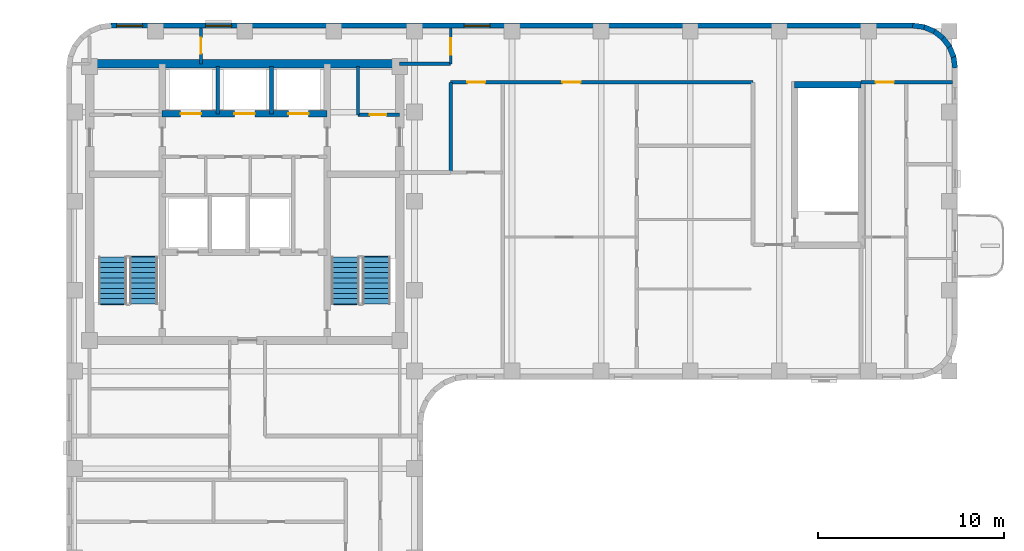
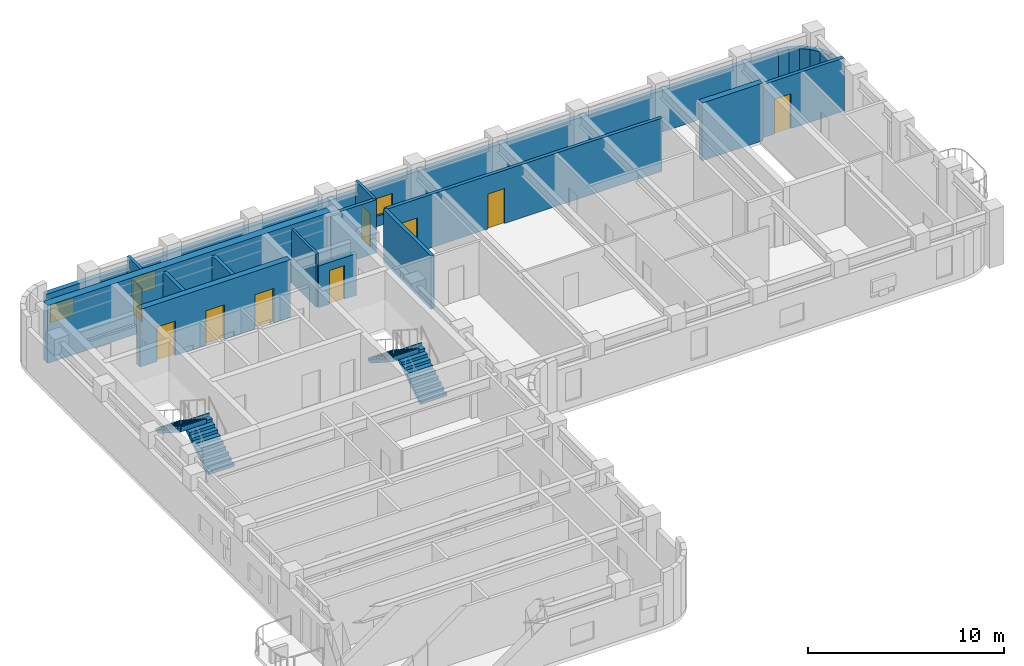
# One storey, part 6 of 8: 20 walls, 9 doors, 4 stair flights, 3 windows, 12 openings, 2 elements without a shape of their own.
"""IFC4 building model written with IfcOpenShell, lengths in metres."""

from ifc_helpers import new_model, si_unit, direction, frame, frame_2d, origin, place, context, subcontext, project, spatial, polyline, rectangle, outline, extrude, material, layer, layer_set, type_object, element, fill, aggregate, save


model = new_model("IFC4")

# Units and contexts
model_context = context("Model", 3, precision=1e-05, world=origin(), true_north=direction((0.0, 1.0)))
body_context = subcontext(model_context, "Body", "Model", "MODEL_VIEW")
ifc_project = project(units=[si_unit("LENGTHUNIT", "METRE"), si_unit("AREAUNIT", "SQUARE_METRE"), si_unit("VOLUMEUNIT", "CUBIC_METRE"), si_unit("PLANEANGLEUNIT", "RADIAN"), si_unit("MASSUNIT", "GRAM", prefix="KILO")], contexts=[model_context])

# Site, building, storey
site_placement = place(None, origin())
site = spatial("IfcSite", under=ifc_project, at=site_placement, CompositionType="ELEMENT")
building_placement = place(site_placement, origin())
building = spatial("IfcBuilding", under=site, at=building_placement, Name="Orvandelia Arch Residences", CompositionType="ELEMENT")
storey_placement = place(building_placement, frame((0.0, 0.0, 236.199951171875)))
storey = spatial("IfcBuildingStorey", under=building, at=storey_placement, Name="L62", CompositionType="ELEMENT", Elevation=236.199951171875)

# Wall, openings, doors
ifc_material_1 = material(Name="Concrete C50/60", Category="concrete")
ifc_layer_1 = layer(ifc_material_1, 0.35009765625, Name="Concrete C50/60", Category="concrete")
ifc_layer_set_1 = layer_set([ifc_layer_1], Name="Concrete C50/60")
wall_type_1 = type_object("IfcWallType", Name="WL-CORE-350", PredefinedType="SHEAR", material=ifc_layer_set_1)
wall_1_placement = place(storey_placement, frame((9.9599609375, 43.10009765625, 0.0), z_axis=(0.0, 0.0, 1.0), x_axis=(1.0, 0.0, 0.0)))
wall_1 = element("IfcWall", 1, at=wall_1_placement, inside=storey, type_object=wall_type_1, Name="Core Shear Wall L62-HZ4", PredefinedType="SHEAR", context=body_context, shape_type="SweptSolid", body=[
    extrude(rectangle(XDim=8.880126953125, YDim=0.35009765625, at=frame_2d((4.43994140625, 0.0))), origin(), (0.0, 0.0, 1.0), 3.60009765625),
])
opening_1_placement = place(wall_1_placement, frame((0.989990234375, 0.0, 0.0)))
opening_1 = element("IfcOpeningElement", 2, at=opening_1_placement, cuts=wall_1, Name="Opening LD", PredefinedType="OPENING", context=body_context, shape_type="SweptSolid", body=[
    extrude(rectangle(XDim=1.10009765625, YDim=2.14990234375, at=frame_2d((0.550048828125, 1.074951171875))), frame((0.0, 0.18505859375, 0.0), z_axis=(0.0, -1.0, 0.0), x_axis=(1.0, 0.0, 0.0)), (0.0, 0.0, 1.0), 0.3701171875),
])
opening_2_placement = place(wall_1_placement, frame((3.889892578125, 0.0, 0.0)))
opening_2 = element("IfcOpeningElement", 3, at=opening_2_placement, cuts=wall_1, Name="Opening LD", PredefinedType="OPENING", context=body_context, shape_type="SweptSolid", body=[
    extrude(rectangle(XDim=1.10009765625, YDim=2.14990234375, at=frame_2d((0.550048828125, 1.074951171875))), frame((0.0, 0.18505859375, 0.0), z_axis=(0.0, -1.0, 0.0), x_axis=(1.0, 0.0, 0.0)), (0.0, 0.0, 1.0), 0.3701171875),
])
opening_3_placement = place(wall_1_placement, frame((6.7900390625, 0.0, 0.0)))
opening_3 = element("IfcOpeningElement", 4, at=opening_3_placement, cuts=wall_1, Name="Opening LD", PredefinedType="OPENING", context=body_context, shape_type="SweptSolid", body=[
    extrude(rectangle(XDim=1.10009765625, YDim=2.14990234375, at=frame_2d((0.550048828125, 1.074951171875))), frame((0.0, 0.18505859375, 0.0), z_axis=(0.0, -1.0, 0.0), x_axis=(1.0, 0.0, 0.0)), (0.0, 0.0, 1.0), 0.3701171875),
])
ifc_material_2 = material(Name="Brushed Stainless Steel Sliding Lift Door", Category="steel")
door_type_1 = type_object("IfcDoorType", Name="DR-LIFT-1100", OperationType="NOTDEFINED", PredefinedType="DOOR", material=ifc_material_2)
door_1_placement = place(opening_1_placement, origin())
door_1 = element("IfcDoor", 5, at=door_1_placement, inside=storey, type_object=door_type_1, Name="Lift Landing Door LD-PH1-L62", OperationType="SLIDING_TO_LEFT", OverallHeight=2.14990234375, OverallWidth=1.10009765625, PredefinedType="DOOR", context=body_context, shape_type="SweptSolid", body=[
    extrude(rectangle(XDim=1.10009765625, YDim=2.14990234375, at=frame_2d((0.550048828125, 1.074951171875))), frame((0.0, 0.02490234375, 0.0), z_axis=(0.0, -1.0, 0.0), x_axis=(1.0, 0.0, 0.0)), (0.0, 0.0, 1.0), 0.050048828125),
])
fill(opening_1, door_1)
door_2_placement = place(opening_2_placement, origin())
door_2 = element("IfcDoor", 6, at=door_2_placement, inside=storey, type_object=door_type_1, Name="Lift Landing Door LD-PH2-L62", OperationType="SLIDING_TO_RIGHT", OverallHeight=2.14990234375, OverallWidth=1.10009765625, PredefinedType="DOOR", context=body_context, shape_type="SweptSolid", body=[
    extrude(rectangle(XDim=1.10009765625, YDim=2.14990234375, at=frame_2d((0.550048828125, 1.074951171875))), frame((0.0, 0.02490234375, 0.0), z_axis=(0.0, -1.0, 0.0), x_axis=(1.0, 0.0, 0.0)), (0.0, 0.0, 1.0), 0.050048828125),
])
fill(opening_2, door_2)
door_3_placement = place(opening_3_placement, origin())
door_3 = element("IfcDoor", 7, at=door_3_placement, inside=storey, type_object=door_type_1, Name="Lift Landing Door LD-PH3-L62", OperationType="SLIDING_TO_LEFT", OverallHeight=2.14990234375, OverallWidth=1.10009765625, PredefinedType="DOOR", context=body_context, shape_type="SweptSolid", body=[
    extrude(rectangle(XDim=1.10009765625, YDim=2.14990234375, at=frame_2d((0.550048828125, 1.074951171875))), frame((0.0, 0.02490234375, 0.0), z_axis=(0.0, -1.0, 0.0), x_axis=(1.0, 0.0, 0.0)), (0.0, 0.0, 1.0), 0.050048828125),
])
fill(opening_3, door_3)

# Walls
wall_2_placement = place(storey_placement, frame((44.02001953125, 44.659912109375, 0.0), z_axis=(0.0, 0.0, 1.0), x_axis=(1.0, 0.0, 0.0)))
element("IfcWall", 8, at=wall_2_placement, inside=storey, type_object=wall_type_1, Name="East Stair Core Shear Wall L62-N", PredefinedType="SHEAR", context=body_context, shape_type="SweptSolid", body=[
    extrude(rectangle(XDim=3.580078125, YDim=0.35009765625, at=frame_2d((1.7900390625, 0.0))), origin(), (0.0, 0.0, 1.0), 3.60009765625),
])
ifc_layer_2 = layer(ifc_material_1, 0.449951171875, Name="Concrete C50/60", Category="concrete")
ifc_layer_set_2 = layer_set([ifc_layer_2], Name="Concrete C50/60")
wall_type_2 = type_object("IfcWallType", Name="WL-CORE-450", PredefinedType="SHEAR", material=ifc_layer_set_2)
wall_3_placement = place(storey_placement, frame((6.050048828125, 45.800048828125, 0.0), z_axis=(0.0, 0.0, 1.0), x_axis=(1.0, 0.0, 0.0)))
element("IfcWall", 9, at=wall_3_placement, inside=storey, type_object=wall_type_2, Name="Core Shear Wall L62-N", PredefinedType="SHEAR", context=body_context, shape_type="SweptSolid", body=[
    extrude(rectangle(XDim=16.699951171875, YDim=0.449951171875, at=frame_2d((8.35009765625, 0.0))), origin(), (0.0, 0.0, 1.0), 3.60009765625),
])
ifc_material_3 = material(Name="Fire-Rated Corridor Partition")
ifc_layer_3 = layer(ifc_material_3, 0.199951171875, Name="Fire-Rated Corridor Partition")
ifc_layer_set_3 = layer_set([ifc_layer_3], Name="Fire-Rated Corridor Partition")
wall_type_3 = type_object("IfcWallType", Name="WL-CORR-200", PredefinedType="PARTITIONING", material=ifc_layer_set_3)
wall_4_placement = place(storey_placement, frame((22.75, 45.800048828125, 0.0), z_axis=(0.0, 0.0, 1.0), x_axis=(1.0, 0.0, 0.0)))
element("IfcWall", 10, at=wall_4_placement, inside=storey, type_object=wall_type_3, Name="Interior Partition Wall WL-L62-NCE-S", PredefinedType="PARTITIONING", context=body_context, shape_type="SweptSolid", body=[
    extrude(rectangle(XDim=2.75, YDim=0.199951171875, at=frame_2d((1.375, 0.0))), origin(), (0.0, 0.0, 1.0), 3.320068359375),
])

# Wall, openings, doors
wall_5_placement = place(storey_placement, frame((25.5, 44.800048828125, 0.0), z_axis=(0.0, 0.0, 1.0), x_axis=(1.0, 0.0, 0.0)))
wall_5 = element("IfcWall", 11, at=wall_5_placement, inside=storey, type_object=wall_type_3, Name="Interior Partition Wall WL-L62-EN2-S1", PredefinedType="PARTITIONING", context=body_context, shape_type="SweptSolid", body=[
    extrude(rectangle(XDim=16.280029296875, YDim=0.199951171875, at=frame_2d((8.14013671875, 0.0))), origin(), (0.0, 0.0, 1.0), 3.320068359375),
])
opening_4_placement = place(wall_5_placement, frame((0.89990234375, 0.0, 0.0)))
opening_4 = element("IfcOpeningElement", 12, at=opening_4_placement, cuts=wall_5, Name="Opening D2", PredefinedType="OPENING", context=body_context, shape_type="SweptSolid", body=[
    extrude(rectangle(XDim=0.949951171875, YDim=2.14990234375, at=frame_2d((0.47509765625, 1.074951171875))), frame((0.0, 0.10986328125, 0.0), z_axis=(0.0, -1.0, 0.0), x_axis=(1.0, 0.0, 0.0)), (0.0, 0.0, 1.0), 0.219970703125),
])
opening_5_placement = place(wall_5_placement, frame((6.013916015625, 0.0, 0.0)))
opening_5 = element("IfcOpeningElement", 13, at=opening_5_placement, cuts=wall_5, Name="Opening D1", PredefinedType="OPENING", context=body_context, shape_type="SweptSolid", body=[
    extrude(rectangle(XDim=0.97998046875, YDim=2.179931640625, at=frame_2d((0.489990234375, 1.08984375))), frame((0.0, 0.10986328125, 0.0), z_axis=(0.0, -1.0, 0.0), x_axis=(1.0, 0.0, 0.0)), (0.0, 0.0, 1.0), 0.219970703125),
])
ifc_material_4 = material(Name="Solid-Core Timber Interior Fire Door", Category="wood")
door_type_2 = type_object("IfcDoorType", Name="DR-APT-950", OperationType="NOTDEFINED", PredefinedType="DOOR", material=ifc_material_4)
door_4_placement = place(opening_4_placement, origin())
door_4 = element("IfcDoor", 14, at=door_4_placement, inside=storey, type_object=door_type_2, Name="DR-L62-EN2KLD", OperationType="SINGLE_SWING_LEFT", OverallHeight=2.14990234375, OverallWidth=0.949951171875, PredefinedType="DOOR", context=body_context, shape_type="SweptSolid", body=[
    extrude(rectangle(XDim=0.949951171875, YDim=2.14990234375, at=frame_2d((0.47509765625, 1.074951171875))), frame((0.0, 0.02490234375, 0.0), z_axis=(0.0, -1.0, 0.0), x_axis=(1.0, 0.0, 0.0)), (0.0, 0.0, 1.0), 0.050048828125),
])
fill(opening_4, door_4)
ifc_material_5 = material(Name="Solid-Core Timber Acoustic Fire Door", Category="wood")
door_type_3 = type_object("IfcDoorType", Name="DR-ENT-980", OperationType="NOTDEFINED", PredefinedType="DOOR", material=ifc_material_5)
door_5_placement = place(opening_5_placement, origin())
door_5 = element("IfcDoor", 15, at=door_5_placement, inside=storey, type_object=door_type_3, Name="Unit L62-04 Entrance Door", OperationType="SINGLE_SWING_RIGHT", OverallHeight=2.179931640625, OverallWidth=0.97998046875, PredefinedType="DOOR", context=body_context, shape_type="SweptSolid", body=[
    extrude(rectangle(XDim=0.97998046875, YDim=2.179931640625, at=frame_2d((0.489990234375, 1.08984375))), frame((0.0, 0.02490234375, 0.0), z_axis=(0.0, -1.0, 0.0), x_axis=(1.0, 0.0, 0.0)), (0.0, 0.0, 1.0), 0.050048828125),
])
fill(opening_5, door_5)

# Wall, opening, door
wall_6_placement = place(storey_placement, frame((47.60009765625, 44.800048828125, 0.0), z_axis=(0.0, 0.0, 1.0), x_axis=(1.0, 0.0, 0.0)))
wall_6 = element("IfcWall", 16, at=wall_6_placement, inside=storey, type_object=wall_type_3, Name="Interior Partition Wall WL-L62-EN2-S2", PredefinedType="PARTITIONING", context=body_context, shape_type="SweptSolid", body=[
    extrude(rectangle(XDim=4.919921875, YDim=0.199951171875, at=frame_2d((2.4599609375, 0.0))), origin(), (0.0, 0.0, 1.0), 3.320068359375),
])
opening_6_placement = place(wall_6_placement, frame((0.79150390625, 0.0, 0.0)))
opening_6 = element("IfcOpeningElement", 17, at=opening_6_placement, cuts=wall_6, Name="Opening D1", PredefinedType="OPENING", context=body_context, shape_type="SweptSolid", body=[
    extrude(rectangle(XDim=0.97998046875, YDim=2.179931640625, at=frame_2d((0.489990234375, 1.08984375))), frame((0.0, 0.10986328125, 0.0), z_axis=(0.0, -1.0, 0.0), x_axis=(1.0, 0.0, 0.0)), (0.0, 0.0, 1.0), 0.219970703125),
])
door_6_placement = place(opening_6_placement, origin())
door_6 = element("IfcDoor", 18, at=door_6_placement, inside=storey, type_object=door_type_3, Name="Unit L62-05 Entrance Door", OperationType="SINGLE_SWING_LEFT", OverallHeight=2.179931640625, OverallWidth=0.97998046875, PredefinedType="DOOR", context=body_context, shape_type="SweptSolid", body=[
    extrude(rectangle(XDim=0.97998046875, YDim=2.179931640625, at=frame_2d((0.489990234375, 1.08984375))), frame((0.0, 0.02490234375, 0.0), z_axis=(0.0, -1.0, 0.0), x_axis=(1.0, 0.0, 0.0)), (0.0, 0.0, 1.0), 0.050048828125),
])
fill(opening_6, door_6)

# Wall
wall_7_placement = place(storey_placement, frame((25.5, 39.949951171875, 0.0), z_axis=(0.0, 0.0, 1.0), x_axis=(0.0, 1.0, 0.0)))
element("IfcWall", 19, at=wall_7_placement, inside=storey, type_object=wall_type_3, Name="Interior Partition Wall WL-L62-EN2-LW", PredefinedType="PARTITIONING", context=body_context, shape_type="SweptSolid", body=[
    extrude(rectangle(XDim=4.85009765625, YDim=0.199951171875, at=frame_2d((2.425048828125, 0.0))), origin(), (0.0, 0.0, 1.0), 3.320068359375),
])

# Wall, openings, windows
ifc_material_6 = material(Name="Precast concrete C40/50", Category="concrete")
ifc_layer_4 = layer(ifc_material_6, 0.280029296875, Name="Precast concrete C40/50", Category="concrete")
ifc_layer_set_4 = layer_set([ifc_layer_4], Name="Precast concrete C40/50")
wall_type_4 = type_object("IfcWallType", Name="WL-EXT-STONE-280", PredefinedType="STANDARD", material=ifc_layer_set_4)
wall_8_placement = place(storey_placement, frame((7.199951171875, 47.860107421875, 0.0), z_axis=(0.0, 0.0, 1.0), x_axis=(1.0, 0.0, 0.0)))
wall_8 = element("IfcWall", 20, at=wall_8_placement, inside=storey, type_object=wall_type_4, Name="Coral-Limestone Precast Facade Wall L62-007", PredefinedType="STANDARD", context=body_context, shape_type="SweptSolid", body=[
    extrude(rectangle(XDim=43.199951171875, YDim=0.280029296875, at=frame_2d((21.60009765625, 0.0))), origin(), (0.0, 0.0, 1.0), 2.60009765625),
])
opening_7_placement = place(wall_8_placement, frame((19.027587890625, 0.0, 0.64990234375)))
opening_7 = element("IfcOpeningElement", 21, at=opening_7_placement, cuts=wall_8, Name="Opening W10", PredefinedType="OPENING", context=body_context, shape_type="SweptSolid", body=[
    extrude(rectangle(XDim=1.39990234375, YDim=1.10009765625, at=frame_2d((0.699951171875, 0.550048828125))), frame((0.0, 0.14990234375, 0.0), z_axis=(0.0, -1.0, 0.0), x_axis=(1.0, 0.0, 0.0)), (0.0, 0.0, 1.0), 0.300048828125),
])
opening_8_placement = place(wall_8_placement, frame((0.3076171875, 0.0, 0.64990234375)))
opening_8 = element("IfcOpeningElement", 22, at=opening_8_placement, cuts=wall_8, Name="Opening W10", PredefinedType="OPENING", context=body_context, shape_type="SweptSolid", body=[
    extrude(rectangle(XDim=1.39990234375, YDim=1.10009765625, at=frame_2d((0.699951171875, 0.550048828125))), frame((0.0, 0.14990234375, 0.0), z_axis=(0.0, -1.0, 0.0), x_axis=(1.0, 0.0, 0.0)), (0.0, 0.0, 1.0), 0.300048828125),
])
opening_9_placement = place(wall_8_placement, frame((5.1025390625, 0.0, 0.64990234375)))
opening_9 = element("IfcOpeningElement", 23, at=opening_9_placement, cuts=wall_8, Name="Opening W10", PredefinedType="OPENING", context=body_context, shape_type="SweptSolid", body=[
    extrude(rectangle(XDim=1.39990234375, YDim=1.10009765625, at=frame_2d((0.699951171875, 0.550048828125))), frame((0.0, 0.14990234375, 0.0), z_axis=(0.0, -1.0, 0.0), x_axis=(1.0, 0.0, 0.0)), (0.0, 0.0, 1.0), 0.300048828125),
])
ifc_material_7 = material(Name="Tempered Low-E Insulated Glazing", Category="glass")
window_type = type_object("IfcWindowType", Name="WIN-CLR-1400x1100", PartitioningType="SINGLE_PANEL", PredefinedType="WINDOW", material=ifc_material_7)
window_1_placement = place(opening_7_placement, origin())
window_1 = element("IfcWindow", 24, at=window_1_placement, inside=storey, type_object=window_type, Name="Recessed Punched Window L62-001", OverallHeight=1.10009765625, OverallWidth=1.39990234375, PartitioningType="SINGLE_PANEL", PredefinedType="WINDOW", context=body_context, shape_type="SweptSolid", body=[
    extrude(rectangle(XDim=1.39990234375, YDim=1.10009765625, at=frame_2d((0.699951171875, 0.550048828125))), frame((0.0, 0.030029296875, 0.0), z_axis=(0.0, -1.0, 0.0), x_axis=(1.0, 0.0, 0.0)), (0.0, 0.0, 1.0), 0.06005859375),
])
fill(opening_7, window_1)
window_2_placement = place(opening_8_placement, origin())
window_2 = element("IfcWindow", 25, at=window_2_placement, inside=storey, type_object=window_type, Name="Recessed Punched Window L62-002", OverallHeight=1.10009765625, OverallWidth=1.39990234375, PartitioningType="SINGLE_PANEL", PredefinedType="WINDOW", context=body_context, shape_type="SweptSolid", body=[
    extrude(rectangle(XDim=1.39990234375, YDim=1.10009765625, at=frame_2d((0.699951171875, 0.550048828125))), frame((0.0, 0.030029296875, 0.0), z_axis=(0.0, -1.0, 0.0), x_axis=(1.0, 0.0, 0.0)), (0.0, 0.0, 1.0), 0.06005859375),
])
fill(opening_8, window_2)
window_3_placement = place(opening_9_placement, origin())
window_3 = element("IfcWindow", 26, at=window_3_placement, inside=storey, type_object=window_type, Name="Recessed Punched Window L62-003", OverallHeight=1.10009765625, OverallWidth=1.39990234375, PartitioningType="SINGLE_PANEL", PredefinedType="WINDOW", context=body_context, shape_type="SweptSolid", body=[
    extrude(rectangle(XDim=1.39990234375, YDim=1.10009765625, at=frame_2d((0.699951171875, 0.550048828125))), frame((0.0, 0.030029296875, 0.0), z_axis=(0.0, -1.0, 0.0), x_axis=(1.0, 0.0, 0.0)), (0.0, 0.0, 1.0), 0.06005859375),
])
fill(opening_9, window_3)

# Walls
wall_9_placement = place(storey_placement, frame((50.381591796875, 47.861083984375, 0.0), z_axis=(0.0, 0.0, 1.0), x_axis=(0.991447664465, -0.130504898859, 0.0)))
element("IfcWall", 27, at=wall_9_placement, inside=storey, type_object=wall_type_4, Name="Coral-Limestone Precast Facade Wall L62-008", PredefinedType="STANDARD", context=body_context, shape_type="SweptSolid", body=[
    extrude(rectangle(XDim=0.626708984375, YDim=0.280029296875, at=frame_2d((0.3134765625, 0.0))), origin(), (0.0, 0.0, 1.0), 2.60009765625),
])
for number, where, z_axis, x_axis, name in (
    (28, (50.967529296875, 47.788818359375, 0.0), (0.0, 0.0, 1.0), (0.924031075431, -0.382317370307, 0.0), "Coral-Limestone Precast Facade Wall L62-009"),
    (29, (51.514892578125, 47.5673828125, 0.0), (0.0, 0.0, 1.0), (0.793405610854, -0.608693302629, 0.0), "Coral-Limestone Precast Facade Wall L62-010"),
    (30, (51.986083984375, 47.2119140625, 0.0), (0.0, 0.0, 1.0), (0.608693302629, -0.793405610854, 0.0), "Coral-Limestone Precast Facade Wall L62-011"),
    (31, (52.34912109375, 46.746337890625, 0.0), (0.0, 0.0, 1.0), (0.382650053678, -0.92389335771, 0.0), "Coral-Limestone Precast Facade Wall L62-012"),
    (32, (52.579345703125, 46.202880859375, 0.0), (0.0, 0.0, 1.0), (0.130555323746, -0.9914410257, 0.0), "Coral-Limestone Precast Facade Wall L62-013"),
):
    element("IfcWall", number, at=place(storey_placement, frame(where, z_axis=z_axis, x_axis=x_axis)), inside=storey, type_object=wall_type_4, Name=name, PredefinedType="STANDARD", context=body_context, shape_type="SweptSolid", body=[
        extrude(rectangle(XDim=0.62646484375, YDim=0.280029296875, at=frame_2d((0.313232421875, 0.0))), origin(), (0.0, 0.0, 1.0), 2.60009765625),
    ])
ifc_material_8 = material(Name="Acoustic Gypsum Stud Partition")
ifc_layer_5 = layer(ifc_material_8, 0.14990234375, Name="Acoustic Gypsum Stud Partition")
ifc_layer_set_5 = layer_set([ifc_layer_5], Name="Acoustic Gypsum Stud Partition")
wall_type_5 = type_object("IfcWallType", Name="WL-PART-150", PredefinedType="PARTITIONING", material=ifc_layer_set_5)
wall_10_placement = place(storey_placement, frame((20.5, 43.050048828125, 0.0), z_axis=(0.0, 0.0, 1.0), x_axis=(0.0, 1.0, 0.0)))
element("IfcWall", 33, at=wall_10_placement, inside=storey, type_object=wall_type_5, Name="Interior Partition Wall WL-L62-CSB-2W", PredefinedType="PARTITIONING", context=body_context, shape_type="SweptSolid", body=[
    extrude(rectangle(XDim=2.599853515625, YDim=0.14990234375, at=frame_2d((1.2998046875, 0.0))), origin(), (0.0, 0.0, 1.0), 3.320068359375),
])

# Wall, opening, door
wall_11_placement = place(storey_placement, frame((25.5, 45.800048828125, 0.0), z_axis=(0.0, 0.0, 1.0), x_axis=(0.0, 1.0, 0.0)))
wall_11 = element("IfcWall", 34, at=wall_11_placement, inside=storey, type_object=wall_type_5, Name="Interior Partition Wall WL-L62-NCE-W", PredefinedType="PARTITIONING", context=body_context, shape_type="SweptSolid", body=[
    extrude(rectangle(XDim=1.919921875, YDim=0.14990234375, at=frame_2d((0.9599609375, 0.0))), origin(), (0.0, 0.0, 1.0), 3.320068359375),
])
opening_10_placement = place(wall_11_placement, frame((0.5, 0.0, 0.0)))
opening_10 = element("IfcOpeningElement", 35, at=opening_10_placement, cuts=wall_11, Name="Opening D5", PredefinedType="OPENING", context=body_context, shape_type="SweptSolid", body=[
    extrude(rectangle(XDim=0.8798828125, YDim=2.10009765625, at=frame_2d((0.43994140625, 1.050048828125))), frame((0.0, 0.0849609375, 0.0), z_axis=(0.0, -1.0, 0.0), x_axis=(1.0, 0.0, 0.0)), (0.0, 0.0, 1.0), 0.169921875),
])
ifc_material_9 = material(Name="Painted Galvanised Steel Service Door", Category="steel")
door_type_4 = type_object("IfcDoorType", Name="DR-SRV-880", OperationType="NOTDEFINED", PredefinedType="DOOR", material=ifc_material_9)
door_7_placement = place(opening_10_placement, origin())
door_7 = element("IfcDoor", 36, at=door_7_placement, inside=storey, type_object=door_type_4, Name="DR-L62-NCS2", OperationType="SINGLE_SWING_LEFT", OverallHeight=2.10009765625, OverallWidth=0.8798828125, PredefinedType="DOOR", context=body_context, shape_type="SweptSolid", body=[
    extrude(rectangle(XDim=0.8798828125, YDim=2.10009765625, at=frame_2d((0.43994140625, 1.050048828125))), frame((0.0, 0.02490234375, 0.0), z_axis=(0.0, -1.0, 0.0), x_axis=(1.0, 0.0, 0.0)), (0.0, 0.0, 1.0), 0.050048828125),
])
fill(opening_10, door_7)

wall_12_placement = place(storey_placement, frame((12.050048828125, 45.800048828125, 0.0), z_axis=(0.0, 0.0, 1.0), x_axis=(0.0, 1.0, 0.0)))
wall_12 = element("IfcWall", 37, at=wall_12_placement, inside=storey, type_object=wall_type_5, Name="Interior Partition Wall WL-L62-NC-M", PredefinedType="PARTITIONING", context=body_context, shape_type="SweptSolid", body=[
    extrude(rectangle(XDim=1.919921875, YDim=0.14990234375, at=frame_2d((0.9599609375, 0.0))), origin(), (0.0, 0.0, 1.0), 3.320068359375),
])
opening_11_placement = place(wall_12_placement, frame((0.550048828125, 0.0, 0.0)))
opening_11 = element("IfcOpeningElement", 38, at=opening_11_placement, cuts=wall_12, Name="Opening D4", PredefinedType="OPENING", context=body_context, shape_type="SweptSolid", body=[
    extrude(rectangle(XDim=0.860107421875, YDim=2.10009765625, at=frame_2d((0.43017578125, 1.050048828125))), frame((0.0, 0.0849609375, 0.0), z_axis=(0.0, -1.0, 0.0), x_axis=(1.0, 0.0, 0.0)), (0.0, 0.0, 1.0), 0.169921875),
])
ifc_material_10 = material(Name="Moisture-Sealed Timber Bathroom Door", Category="wood")
door_type_5 = type_object("IfcDoorType", Name="DR-WET-900", OperationType="NOTDEFINED", PredefinedType="DOOR", material=ifc_material_10)
door_8_placement = place(opening_11_placement, origin())
door_8 = element("IfcDoor", 39, at=door_8_placement, inside=storey, type_object=door_type_5, Name="DR-L62-NCS1", OperationType="SINGLE_SWING_LEFT", OverallHeight=2.10009765625, OverallWidth=0.860107421875, PredefinedType="DOOR", context=body_context, shape_type="SweptSolid", body=[
    extrude(rectangle(XDim=0.860107421875, YDim=2.10009765625, at=frame_2d((0.43017578125, 1.050048828125))), frame((0.0, 0.02490234375, 0.0), z_axis=(0.0, -1.0, 0.0), x_axis=(1.0, 0.0, 0.0)), (0.0, 0.0, 1.0), 0.050048828125),
])
fill(opening_11, door_8)

ifc_material_11 = material(Name="Fire-Rated Shaft Enclosure Wall")
ifc_layer_6 = layer(ifc_material_11, 0.199951171875, Name="Fire-Rated Shaft Enclosure Wall")
ifc_layer_set_6 = layer_set([ifc_layer_6], Name="Fire-Rated Shaft Enclosure Wall")
wall_type_6 = type_object("IfcWallType", Name="WL-SHAFT-200", PredefinedType="POLYGONAL", material=ifc_layer_set_6)
wall_13_placement = place(storey_placement, frame((20.5, 43.050048828125, 0.0), z_axis=(0.0, 0.0, 1.0), x_axis=(1.0, 0.0, 0.0)))
wall_13 = element("IfcWall", 40, at=wall_13_placement, inside=storey, type_object=wall_type_6, Name="Interior Partition Wall WL-L62-HLE-N", PredefinedType="POLYGONAL", context=body_context, shape_type="SweptSolid", body=[
    extrude(rectangle(XDim=2.25, YDim=0.199951171875, at=frame_2d((1.125, 0.0))), origin(), (0.0, 0.0, 1.0), 2.60009765625),
])
opening_12_placement = place(wall_13_placement, frame((0.64990234375, 0.0, 0.0)))
opening_12 = element("IfcOpeningElement", 41, at=opening_12_placement, cuts=wall_13, Name="Opening D5", PredefinedType="OPENING", context=body_context, shape_type="SweptSolid", body=[
    extrude(rectangle(XDim=0.8798828125, YDim=2.10009765625, at=frame_2d((0.43994140625, 1.050048828125))), frame((0.0, 0.10986328125, 0.0), z_axis=(0.0, -1.0, 0.0), x_axis=(1.0, 0.0, 0.0)), (0.0, 0.0, 1.0), 0.219970703125),
])
door_9_placement = place(opening_12_placement, origin())
door_9 = element("IfcDoor", 42, at=door_9_placement, inside=storey, type_object=door_type_4, Name="DR-L62-CSB1", OperationType="SINGLE_SWING_RIGHT", OverallHeight=2.10009765625, OverallWidth=0.8798828125, PredefinedType="DOOR", context=body_context, shape_type="SweptSolid", body=[
    extrude(rectangle(XDim=0.8798828125, YDim=2.10009765625, at=frame_2d((0.43994140625, 1.050048828125))), frame((0.0, 0.02490234375, 0.0), z_axis=(0.0, -1.0, 0.0), x_axis=(1.0, 0.0, 0.0)), (0.0, 0.0, 1.0), 0.050048828125),
])
fill(opening_12, door_9)

# Walls
for number, where, z_axis, x_axis, name in (
    (43, (12.949951171875, 43.10009765625, 0.0), (0.0, 0.0, 1.0), (0.0, 1.0, 0.0), "Interior Partition Wall WL-L62-PHD1"),
    (44, (15.85009765625, 43.10009765625, 0.0), (0.0, 0.0, 1.0), (0.0, 1.0, 0.0), "Interior Partition Wall WL-L62-PHD2"),
):
    element("IfcWall", number, at=place(storey_placement, frame(where, z_axis=z_axis, x_axis=x_axis)), inside=storey, type_object=wall_type_6, Name=name, PredefinedType="POLYGONAL", context=body_context, shape_type="SweptSolid", body=[
        extrude(rectangle(XDim=2.5498046875, YDim=0.199951171875, at=frame_2d((1.27490234375, 0.0))), origin(), (0.0, 0.0, 1.0), 3.320068359375),
    ])

# Stair, stair flights
ifc_material_12 = material(Name="Concrete C40/50", Category="concrete")
stair_type = type_object("IfcStairType", Name="STAIR-RC-DOGLEG", PredefinedType="HALF_TURN_STAIR", material=ifc_material_12)
stair_1_placement = place(storey_placement, origin())
stair_1 = element("IfcStair", 45, at=stair_1_placement, inside=storey, type_object=stair_type, Name="L62 Protected Exit Stair ST-1", PredefinedType="HALF_TURN_STAIR")
stair_flight_type = type_object("IfcStairFlightType", Name="STFLT-RC-1520", PredefinedType="STRAIGHT", material=ifc_material_12)
stair_flight_1_placement = place(storey_placement, frame((8.9599609375, 32.8701171875, 0.0), z_axis=(0.0, 0.0, 1.0), x_axis=(0.0, 1.0, 0.0)))
stair_flight_1 = element("IfcStairFlight", 46, at=stair_flight_1_placement, type_object=stair_flight_type, Name="ST-1 flight 1", NumberOfRisers=10, NumberOfTreads=9, PredefinedType="STRAIGHT", RiserHeight=0.18, TreadLength=0.28, context=body_context, shape_type="SweptSolid", body=[
    extrude(outline(polyline([(0.0, 0.0), (0.0, 0.179931640625), (0.280029296875, 0.179931640625), (0.280029296875, 0.360107421875), (0.56005859375, 0.360107421875), (0.56005859375, 0.5400390625), (0.840087890625, 0.5400390625), (0.840087890625, 0.719970703125), (1.1201171875, 0.719970703125), (1.1201171875, 0.89990234375), (1.39990234375, 0.89990234375), (1.39990234375, 1.080078125), (1.679931640625, 1.080078125), (1.679931640625, 1.260009765625), (1.9599609375, 1.260009765625), (1.9599609375, 1.43994140625), (2.239990234375, 1.43994140625), (2.239990234375, 1.6201171875), (2.52001953125, 1.6201171875), (2.52001953125, 1.800048828125), (2.580078125, 1.800048828125), (2.580078125, 1.6201171875), (2.52001953125, 1.44189453125), (0.277099609375, 0.0), (0.0, 0.0)])), frame((0.0, 0.760009765625, 0.0), z_axis=(0.0, -1.0, 0.0), x_axis=(1.0, 0.0, 0.0)), (0.0, 0.0, 1.0), 1.52001953125),
])
stair_flight_2_placement = place(storey_placement, frame((7.2900390625, 35.389892578125, 1.800048828125), z_axis=(0.0, 0.0, 1.0), x_axis=(0.0, -1.0, 0.0)))
stair_flight_2 = element("IfcStairFlight", 47, at=stair_flight_2_placement, type_object=stair_flight_type, Name="ST-1 flight 2", NumberOfRisers=10, NumberOfTreads=9, PredefinedType="STRAIGHT", RiserHeight=0.18, TreadLength=0.28, context=body_context, shape_type="SweptSolid", body=[
    extrude(outline(polyline([(0.0, 0.0), (0.0, 0.179931640625), (0.280029296875, 0.179931640625), (0.280029296875, 0.360107421875), (0.56005859375, 0.360107421875), (0.56005859375, 0.5400390625), (0.840087890625, 0.5400390625), (0.840087890625, 0.719970703125), (1.1201171875, 0.719970703125), (1.1201171875, 0.89990234375), (1.39990234375, 0.89990234375), (1.39990234375, 1.080078125), (1.679931640625, 1.080078125), (1.679931640625, 1.260009765625), (1.9599609375, 1.260009765625), (1.9599609375, 1.43994140625), (2.239990234375, 1.43994140625), (2.239990234375, 1.6201171875), (2.52001953125, 1.6201171875), (2.52001953125, 1.800048828125), (2.580078125, 1.800048828125), (2.580078125, 1.6201171875), (2.52001953125, 1.44189453125), (0.277099609375, 0.0), (0.0, 0.0)])), frame((0.0, 0.760009765625, 0.0), z_axis=(0.0, -1.0, 0.0), x_axis=(1.0, 0.0, 0.0)), (0.0, 0.0, 1.0), 1.52001953125),
])
aggregate(stair_1, [stair_flight_1, stair_flight_2])

stair_2_placement = place(storey_placement, origin())
stair_2 = element("IfcStair", 48, at=stair_2_placement, inside=storey, type_object=stair_type, Name="L62 Protected Exit Stair ST-2", PredefinedType="HALF_TURN_STAIR")
stair_flight_3_placement = place(storey_placement, frame((21.489990234375, 32.8701171875, 0.0), z_axis=(0.0, 0.0, 1.0), x_axis=(0.0, 1.0, 0.0)))
stair_flight_3 = element("IfcStairFlight", 49, at=stair_flight_3_placement, type_object=stair_flight_type, Name="ST-2 flight 1", NumberOfRisers=10, NumberOfTreads=9, PredefinedType="STRAIGHT", RiserHeight=0.18, TreadLength=0.28, context=body_context, shape_type="SweptSolid", body=[
    extrude(outline(polyline([(0.0, 0.0), (0.0, 0.179931640625), (0.280029296875, 0.179931640625), (0.280029296875, 0.360107421875), (0.56005859375, 0.360107421875), (0.56005859375, 0.5400390625), (0.840087890625, 0.5400390625), (0.840087890625, 0.719970703125), (1.1201171875, 0.719970703125), (1.1201171875, 0.89990234375), (1.39990234375, 0.89990234375), (1.39990234375, 1.080078125), (1.679931640625, 1.080078125), (1.679931640625, 1.260009765625), (1.9599609375, 1.260009765625), (1.9599609375, 1.43994140625), (2.239990234375, 1.43994140625), (2.239990234375, 1.6201171875), (2.52001953125, 1.6201171875), (2.52001953125, 1.800048828125), (2.580078125, 1.800048828125), (2.580078125, 1.6201171875), (2.52001953125, 1.44189453125), (0.277099609375, 0.0), (0.0, 0.0)])), frame((0.0, 0.760009765625, 0.0), z_axis=(0.0, -1.0, 0.0), x_axis=(1.0, 0.0, 0.0)), (0.0, 0.0, 1.0), 1.52001953125),
])
stair_flight_4_placement = place(storey_placement, frame((19.820068359375, 35.389892578125, 1.800048828125), z_axis=(0.0, 0.0, 1.0), x_axis=(0.0, -1.0, 0.0)))
stair_flight_4 = element("IfcStairFlight", 50, at=stair_flight_4_placement, type_object=stair_flight_type, Name="ST-2 flight 2", NumberOfRisers=10, NumberOfTreads=9, PredefinedType="STRAIGHT", RiserHeight=0.18, TreadLength=0.28, context=body_context, shape_type="SweptSolid", body=[
    extrude(outline(polyline([(0.0, 0.0), (0.0, 0.179931640625), (0.280029296875, 0.179931640625), (0.280029296875, 0.360107421875), (0.56005859375, 0.360107421875), (0.56005859375, 0.5400390625), (0.840087890625, 0.5400390625), (0.840087890625, 0.719970703125), (1.1201171875, 0.719970703125), (1.1201171875, 0.89990234375), (1.39990234375, 0.89990234375), (1.39990234375, 1.080078125), (1.679931640625, 1.080078125), (1.679931640625, 1.260009765625), (1.9599609375, 1.260009765625), (1.9599609375, 1.43994140625), (2.239990234375, 1.43994140625), (2.239990234375, 1.6201171875), (2.52001953125, 1.6201171875), (2.52001953125, 1.800048828125), (2.580078125, 1.800048828125), (2.580078125, 1.6201171875), (2.52001953125, 1.44189453125), (0.277099609375, 0.0), (0.0, 0.0)])), frame((0.0, 0.760009765625, 0.0), z_axis=(0.0, -1.0, 0.0), x_axis=(1.0, 0.0, 0.0)), (0.0, 0.0, 1.0), 1.52001953125),
])
aggregate(stair_2, [stair_flight_3, stair_flight_4])

save(model, "model.ifc")
